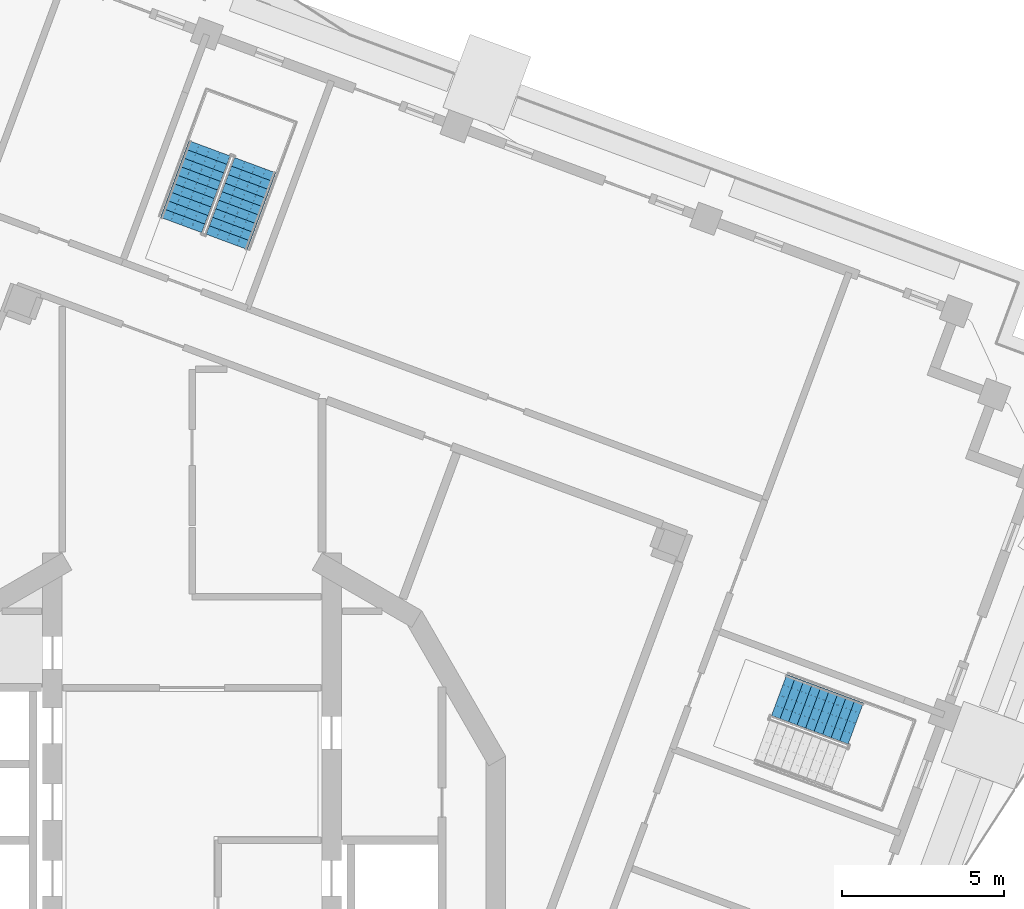
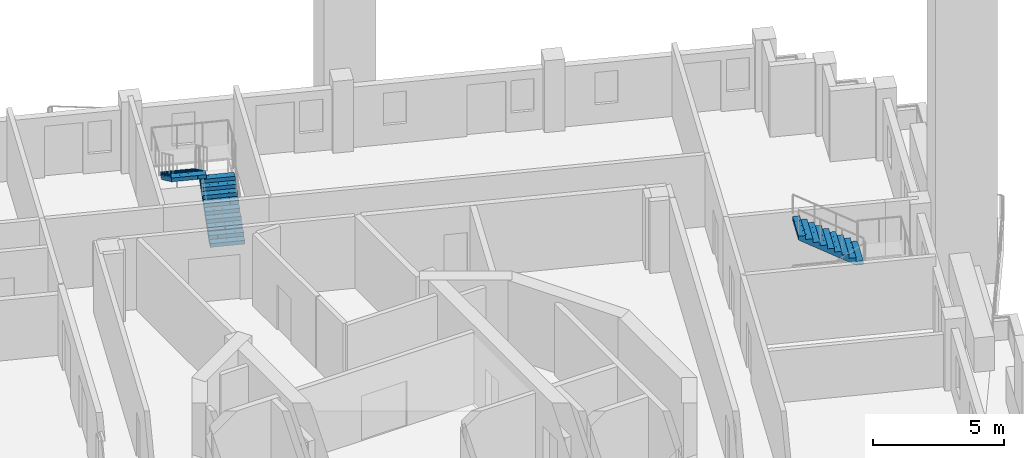
# One storey, part 9 of 20: 3 stair flights, 2 elements without a shape of their own.
"""IFC4 building model written with IfcOpenShell, lengths in metres."""

from ifc_helpers import new_model, si_unit, direction, frame, origin, place, context, subcontext, project, spatial, polyline, outline, extrude, material, type_object, element, aggregate, save


model = new_model("IFC4")

# Units and contexts
model_context = context("Model", 3, precision=1e-05, world=origin(), true_north=direction((0.0, 1.0)))
body_context = subcontext(model_context, "Body", "Model", "MODEL_VIEW")
ifc_project = project(units=[si_unit("LENGTHUNIT", "METRE"), si_unit("AREAUNIT", "SQUARE_METRE"), si_unit("VOLUMEUNIT", "CUBIC_METRE"), si_unit("PLANEANGLEUNIT", "RADIAN"), si_unit("MASSUNIT", "GRAM", prefix="KILO")], contexts=[model_context])

# Site, building, storey
site_placement = place(None, origin())
site = spatial("IfcSite", under=ifc_project, at=site_placement, CompositionType="ELEMENT")
building_placement = place(site_placement, origin())
building = spatial("IfcBuilding", under=site, at=building_placement, Name="Cantera Rosa Tower", CompositionType="ELEMENT")
storey_placement = place(building_placement, frame((0.0, 0.0, 306.10009765625)))
storey = spatial("IfcBuildingStorey", under=building, at=storey_placement, Name="L67", CompositionType="ELEMENT", Elevation=306.10009765625)

# Stair, stair flight
ifc_material_1 = material(Name="Concrete C35/45", Category="concrete")
stair_type = type_object("IfcStairType", Name="EXIT STAIR 1350 DOGLEG", PredefinedType="HALF_TURN_STAIR", material=ifc_material_1)
stair_1_placement = place(storey_placement, origin())
stair_1 = element("IfcStair", 1, at=stair_1_placement, inside=storey, type_object=stair_type, Name="L67 ST-61", PredefinedType="HALF_TURN_STAIR")
ifc_material_2 = material(Name="Concrete C35/45", Category="concrete")
stair_flight_type = type_object("IfcStairFlightType", Name="STAIR FLIGHT 1350 R20x180", PredefinedType="STRAIGHT", material=ifc_material_2)
stair_flight_1_placement = place(storey_placement, frame((20.443115234375, 3.595458984375, 1.7998046875), z_axis=(0.0, 0.0, 1.0), x_axis=(-0.937686938944, 0.347481229039, 0.0)))
stair_flight_1 = element("IfcStairFlight", 2, at=stair_flight_1_placement, type_object=stair_flight_type, Name="ST-61 flight 2", NumberOfRisers=10, NumberOfTreads=9, PredefinedType="STRAIGHT", RiserHeight=0.18, TreadLength=0.28, context=body_context, shape_type="SweptSolid", body=[
    extrude(outline(polyline([(0.0, 0.0), (0.0, 0.179931640625), (0.280029296875, 0.179931640625), (0.280029296875, 0.360107421875), (0.56005859375, 0.360107421875), (0.56005859375, 0.5400390625), (0.840087890625, 0.5400390625), (0.840087890625, 0.719970703125), (1.1201171875, 0.719970703125), (1.1201171875, 0.89990234375), (1.39990234375, 0.89990234375), (1.39990234375, 1.080078125), (1.679931640625, 1.080078125), (1.679931640625, 1.260009765625), (1.9599609375, 1.260009765625), (1.9599609375, 1.43994140625), (2.239990234375, 1.43994140625), (2.239990234375, 1.6201171875), (2.52001953125, 1.6201171875), (2.52001953125, 1.800048828125), (2.52001953125, 1.44189453125), (0.277099609375, 0.0), (0.0, 0.0)])), frame((0.0, 0.675048828125, 0.0), z_axis=(0.0, -1.0, 0.0), x_axis=(1.0, 0.0, 0.0)), (0.0, 0.0, 1.0), 0.3359375),
    extrude(outline(polyline([(0.0, 0.0), (0.0, 0.179931640625), (0.280029296875, 0.179931640625), (0.280029296875, 0.360107421875), (0.56005859375, 0.360107421875), (0.56005859375, 0.5400390625), (0.840087890625, 0.5400390625), (0.840087890625, 0.719970703125), (1.1201171875, 0.719970703125), (1.1201171875, 0.89990234375), (1.39990234375, 0.89990234375), (1.39990234375, 1.080078125), (1.679931640625, 1.080078125), (1.679931640625, 1.260009765625), (1.9599609375, 1.260009765625), (1.9599609375, 1.43994140625), (2.239990234375, 1.43994140625), (2.239990234375, 1.6201171875), (2.52001953125, 1.6201171875), (2.52001953125, 1.800048828125), (2.52001953125, 1.44189453125), (0.277099609375, 0.0), (0.0, 0.0)])), frame((0.0, 0.337158203125, 0.0), z_axis=(0.0, -1.0, 0.0), x_axis=(1.0, 0.0, 0.0)), (0.0, 0.0, 1.0), 0.3359375),
    extrude(outline(polyline([(0.0, 0.0), (0.0, 0.179931640625), (0.280029296875, 0.179931640625), (0.280029296875, 0.360107421875), (0.56005859375, 0.360107421875), (0.56005859375, 0.5400390625), (0.840087890625, 0.5400390625), (0.840087890625, 0.719970703125), (1.1201171875, 0.719970703125), (1.1201171875, 0.89990234375), (1.39990234375, 0.89990234375), (1.39990234375, 1.080078125), (1.679931640625, 1.080078125), (1.679931640625, 1.260009765625), (1.9599609375, 1.260009765625), (1.9599609375, 1.43994140625), (2.239990234375, 1.43994140625), (2.239990234375, 1.6201171875), (2.52001953125, 1.6201171875), (2.52001953125, 1.800048828125), (2.52001953125, 1.44189453125), (0.277099609375, 0.0), (0.0, 0.0)])), frame((0.0, -0.000732421875, 0.0), z_axis=(0.0, -1.0, 0.0), x_axis=(1.0, 0.0, 0.0)), (0.0, 0.0, 1.0), 0.3359375),
    extrude(outline(polyline([(0.0, 0.0), (0.0, 0.179931640625), (0.280029296875, 0.179931640625), (0.280029296875, 0.360107421875), (0.56005859375, 0.360107421875), (0.56005859375, 0.5400390625), (0.840087890625, 0.5400390625), (0.840087890625, 0.719970703125), (1.1201171875, 0.719970703125), (1.1201171875, 0.89990234375), (1.39990234375, 0.89990234375), (1.39990234375, 1.080078125), (1.679931640625, 1.080078125), (1.679931640625, 1.260009765625), (1.9599609375, 1.260009765625), (1.9599609375, 1.43994140625), (2.239990234375, 1.43994140625), (2.239990234375, 1.6201171875), (2.52001953125, 1.6201171875), (2.52001953125, 1.800048828125), (2.52001953125, 1.44189453125), (0.277099609375, 0.0), (0.0, 0.0)])), frame((0.0, -0.338623046875, 0.0), z_axis=(0.0, -1.0, 0.0), x_axis=(1.0, 0.0, 0.0)), (0.0, 0.0, 1.0), 0.3359375),
])
aggregate(stair_1, [stair_flight_1])

# Stair, stair flights
stair_2_placement = place(storey_placement, origin())
stair_2 = element("IfcStair", 3, at=stair_2_placement, inside=storey, type_object=stair_type, Name="L67 ST-62", PredefinedType="HALF_TURN_STAIR")
stair_flight_2_placement = place(storey_placement, frame((1.069580078125, 18.426513671875, 0.0), z_axis=(0.0, 0.0, 1.0), x_axis=(0.347481229039, 0.937686938944, 0.0)))
stair_flight_2 = element("IfcStairFlight", 4, at=stair_flight_2_placement, type_object=stair_flight_type, Name="ST-62 flight 1", NumberOfRisers=10, NumberOfTreads=9, PredefinedType="STRAIGHT", RiserHeight=0.18, TreadLength=0.28, context=body_context, shape_type="SweptSolid", body=[
    extrude(outline(polyline([(0.0, 0.0), (0.0, 0.179931640625), (0.280029296875, 0.179931640625), (0.280029296875, 0.360107421875), (0.56005859375, 0.360107421875), (0.56005859375, 0.5400390625), (0.840087890625, 0.5400390625), (0.840087890625, 0.719970703125), (1.1201171875, 0.719970703125), (1.1201171875, 0.89990234375), (1.39990234375, 0.89990234375), (1.39990234375, 1.080078125), (1.679931640625, 1.080078125), (1.679931640625, 1.260009765625), (1.9599609375, 1.260009765625), (1.9599609375, 1.43994140625), (2.239990234375, 1.43994140625), (2.239990234375, 1.6201171875), (2.52001953125, 1.6201171875), (2.52001953125, 1.800048828125), (2.52001953125, 1.44189453125), (0.277099609375, 0.0), (0.0, 0.0)])), frame((0.0, 0.675048828125, 0.0), z_axis=(0.0, -1.0, 0.0), x_axis=(1.0, 0.0, 0.0)), (0.0, 0.0, 1.0), 0.3359375),
    extrude(outline(polyline([(0.0, 0.0), (0.0, 0.179931640625), (0.280029296875, 0.179931640625), (0.280029296875, 0.360107421875), (0.56005859375, 0.360107421875), (0.56005859375, 0.5400390625), (0.840087890625, 0.5400390625), (0.840087890625, 0.719970703125), (1.1201171875, 0.719970703125), (1.1201171875, 0.89990234375), (1.39990234375, 0.89990234375), (1.39990234375, 1.080078125), (1.679931640625, 1.080078125), (1.679931640625, 1.260009765625), (1.9599609375, 1.260009765625), (1.9599609375, 1.43994140625), (2.239990234375, 1.43994140625), (2.239990234375, 1.6201171875), (2.52001953125, 1.6201171875), (2.52001953125, 1.800048828125), (2.52001953125, 1.44189453125), (0.277099609375, 0.0), (0.0, 0.0)])), frame((0.0, 0.337158203125, 0.0), z_axis=(0.0, -1.0, 0.0), x_axis=(1.0, 0.0, 0.0)), (0.0, 0.0, 1.0), 0.3359375),
    extrude(outline(polyline([(0.0, 0.0), (0.0, 0.179931640625), (0.280029296875, 0.179931640625), (0.280029296875, 0.360107421875), (0.56005859375, 0.360107421875), (0.56005859375, 0.5400390625), (0.840087890625, 0.5400390625), (0.840087890625, 0.719970703125), (1.1201171875, 0.719970703125), (1.1201171875, 0.89990234375), (1.39990234375, 0.89990234375), (1.39990234375, 1.080078125), (1.679931640625, 1.080078125), (1.679931640625, 1.260009765625), (1.9599609375, 1.260009765625), (1.9599609375, 1.43994140625), (2.239990234375, 1.43994140625), (2.239990234375, 1.6201171875), (2.52001953125, 1.6201171875), (2.52001953125, 1.800048828125), (2.52001953125, 1.44189453125), (0.277099609375, 0.0), (0.0, 0.0)])), frame((0.0, -0.000732421875, 0.0), z_axis=(0.0, -1.0, 0.0), x_axis=(1.0, 0.0, 0.0)), (0.0, 0.0, 1.0), 0.3359375),
    extrude(outline(polyline([(0.0, 0.0), (0.0, 0.179931640625), (0.280029296875, 0.179931640625), (0.280029296875, 0.360107421875), (0.56005859375, 0.360107421875), (0.56005859375, 0.5400390625), (0.840087890625, 0.5400390625), (0.840087890625, 0.719970703125), (1.1201171875, 0.719970703125), (1.1201171875, 0.89990234375), (1.39990234375, 0.89990234375), (1.39990234375, 1.080078125), (1.679931640625, 1.080078125), (1.679931640625, 1.260009765625), (1.9599609375, 1.260009765625), (1.9599609375, 1.43994140625), (2.239990234375, 1.43994140625), (2.239990234375, 1.6201171875), (2.52001953125, 1.6201171875), (2.52001953125, 1.800048828125), (2.52001953125, 1.44189453125), (0.277099609375, 0.0), (0.0, 0.0)])), frame((0.0, -0.338623046875, 0.0), z_axis=(0.0, -1.0, 0.0), x_axis=(1.0, 0.0, 0.0)), (0.0, 0.0, 1.0), 0.3359375),
])
stair_flight_3_placement = place(storey_placement, frame((0.53857421875, 21.310791015625, 1.7998046875), z_axis=(0.0, 0.0, 1.0), x_axis=(-0.347481229039, -0.937686938944, 0.0)))
stair_flight_3 = element("IfcStairFlight", 5, at=stair_flight_3_placement, type_object=stair_flight_type, Name="ST-62 flight 2", NumberOfRisers=10, NumberOfTreads=9, PredefinedType="STRAIGHT", RiserHeight=0.18, TreadLength=0.28, context=body_context, shape_type="SweptSolid", body=[
    extrude(outline(polyline([(0.0, 0.0), (0.0, 0.179931640625), (0.280029296875, 0.179931640625), (0.280029296875, 0.360107421875), (0.56005859375, 0.360107421875), (0.56005859375, 0.5400390625), (0.840087890625, 0.5400390625), (0.840087890625, 0.719970703125), (1.1201171875, 0.719970703125), (1.1201171875, 0.89990234375), (1.39990234375, 0.89990234375), (1.39990234375, 1.080078125), (1.679931640625, 1.080078125), (1.679931640625, 1.260009765625), (1.9599609375, 1.260009765625), (1.9599609375, 1.43994140625), (2.239990234375, 1.43994140625), (2.239990234375, 1.6201171875), (2.52001953125, 1.6201171875), (2.52001953125, 1.800048828125), (2.52001953125, 1.44189453125), (0.277099609375, 0.0), (0.0, 0.0)])), frame((0.0, 0.675048828125, 0.0), z_axis=(0.0, -1.0, 0.0), x_axis=(1.0, 0.0, 0.0)), (0.0, 0.0, 1.0), 0.3359375),
    extrude(outline(polyline([(0.0, 0.0), (0.0, 0.179931640625), (0.280029296875, 0.179931640625), (0.280029296875, 0.360107421875), (0.56005859375, 0.360107421875), (0.56005859375, 0.5400390625), (0.840087890625, 0.5400390625), (0.840087890625, 0.719970703125), (1.1201171875, 0.719970703125), (1.1201171875, 0.89990234375), (1.39990234375, 0.89990234375), (1.39990234375, 1.080078125), (1.679931640625, 1.080078125), (1.679931640625, 1.260009765625), (1.9599609375, 1.260009765625), (1.9599609375, 1.43994140625), (2.239990234375, 1.43994140625), (2.239990234375, 1.6201171875), (2.52001953125, 1.6201171875), (2.52001953125, 1.800048828125), (2.52001953125, 1.44189453125), (0.277099609375, 0.0), (0.0, 0.0)])), frame((0.0, 0.337158203125, 0.0), z_axis=(0.0, -1.0, 0.0), x_axis=(1.0, 0.0, 0.0)), (0.0, 0.0, 1.0), 0.3359375),
    extrude(outline(polyline([(0.0, 0.0), (0.0, 0.179931640625), (0.280029296875, 0.179931640625), (0.280029296875, 0.360107421875), (0.56005859375, 0.360107421875), (0.56005859375, 0.5400390625), (0.840087890625, 0.5400390625), (0.840087890625, 0.719970703125), (1.1201171875, 0.719970703125), (1.1201171875, 0.89990234375), (1.39990234375, 0.89990234375), (1.39990234375, 1.080078125), (1.679931640625, 1.080078125), (1.679931640625, 1.260009765625), (1.9599609375, 1.260009765625), (1.9599609375, 1.43994140625), (2.239990234375, 1.43994140625), (2.239990234375, 1.6201171875), (2.52001953125, 1.6201171875), (2.52001953125, 1.800048828125), (2.52001953125, 1.44189453125), (0.277099609375, 0.0), (0.0, 0.0)])), frame((0.0, -0.000732421875, 0.0), z_axis=(0.0, -1.0, 0.0), x_axis=(1.0, 0.0, 0.0)), (0.0, 0.0, 1.0), 0.3359375),
    extrude(outline(polyline([(0.0, 0.0), (0.0, 0.179931640625), (0.280029296875, 0.179931640625), (0.280029296875, 0.360107421875), (0.56005859375, 0.360107421875), (0.56005859375, 0.5400390625), (0.840087890625, 0.5400390625), (0.840087890625, 0.719970703125), (1.1201171875, 0.719970703125), (1.1201171875, 0.89990234375), (1.39990234375, 0.89990234375), (1.39990234375, 1.080078125), (1.679931640625, 1.080078125), (1.679931640625, 1.260009765625), (1.9599609375, 1.260009765625), (1.9599609375, 1.43994140625), (2.239990234375, 1.43994140625), (2.239990234375, 1.6201171875), (2.52001953125, 1.6201171875), (2.52001953125, 1.800048828125), (2.52001953125, 1.44189453125), (0.277099609375, 0.0), (0.0, 0.0)])), frame((0.0, -0.338623046875, 0.0), z_axis=(0.0, -1.0, 0.0), x_axis=(1.0, 0.0, 0.0)), (0.0, 0.0, 1.0), 0.3359375),
])
aggregate(stair_2, [stair_flight_2, stair_flight_3])

save(model, "model.ifc")
